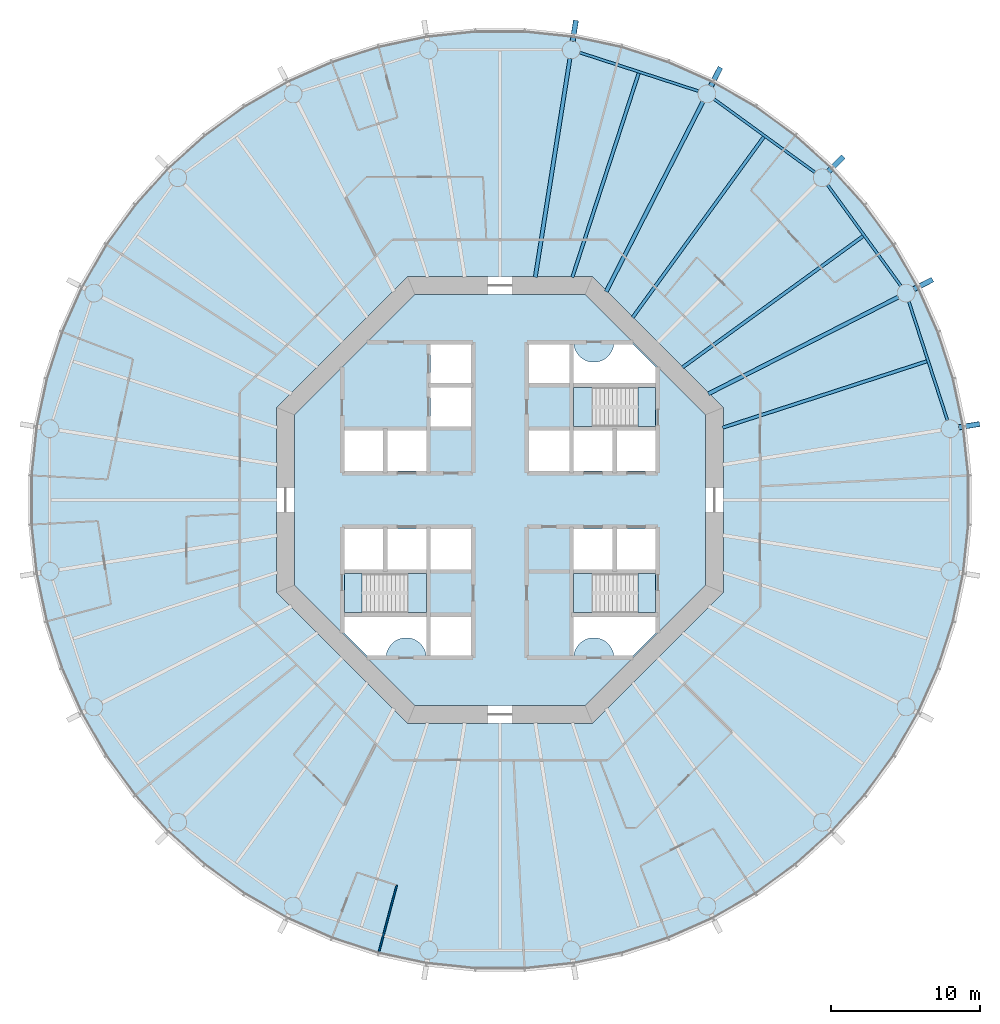
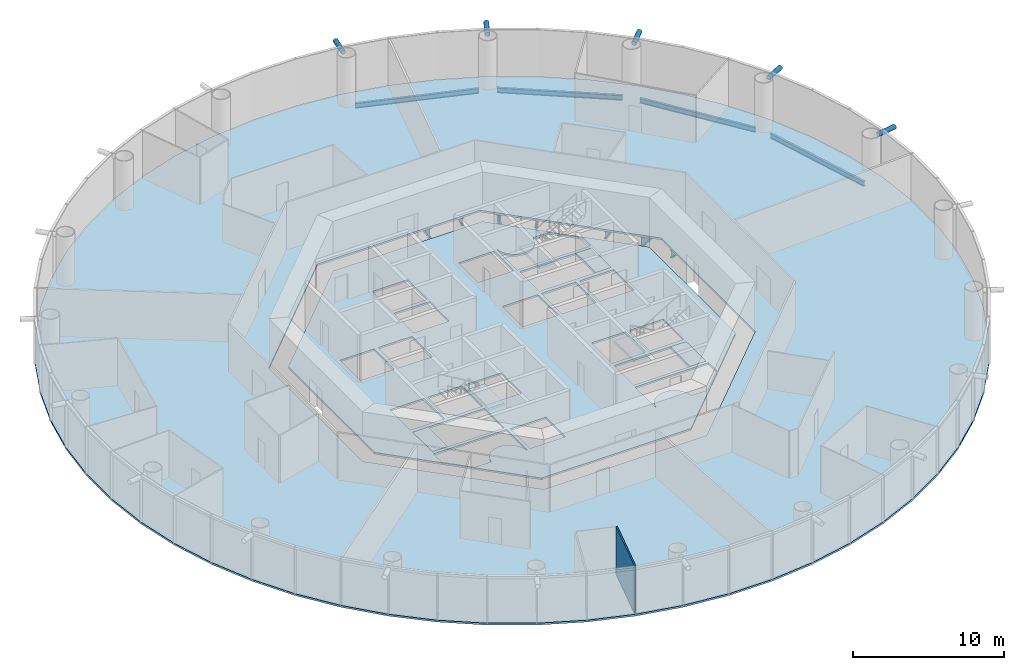
# One storey, part 2 of 13: 11 beams, 8 slabs, 5 members, 1 wall, 3 elements without a shape of their own.
"""IFC4 building model written with IfcOpenShell, lengths in metres."""

import ifcopenshell
import ifcopenshell.guid

model = None  # the IFC model being written
_history = None  # IfcOwnerHistory: only IFC2X3 demands one
_inside = {}  # id of a spatial element -> (the spatial element, [elements in it])
_under = {}  # id of a project, library or spatial element -> (it, [spatial elements below it])
_declared = {}  # id of a project -> (the project, [libraries it declares])
_typed = {}  # id of a type object -> (the type object, [elements of that type])
_made_of = {}  # id of a material, layer set ... -> (it, [elements and type objects made of it])


def new_model(schema):
    """Start an empty IFC model of exactly this schema.

    Asked for "IFC4X3", IfcOpenShell would pick the latest addendum, in which some entities
    have other attributes; the version numbers below select the first issue.
    IFC2X3 requires an IfcOwnerHistory on every rooted entity: one is made here for all.
    """
    global model, _history
    if schema == "IFC4X3":
        model = ifcopenshell.file(schema_version=(4, 3, 0, 0))
    else:
        model = ifcopenshell.file(schema=schema)
    _inside.clear()
    _under.clear()
    _declared.clear()
    _typed.clear()
    _made_of.clear()
    _history = None
    if model.schema == "IFC2X3":
        org = make("IfcOrganization", Name="unknown")
        user = make(
            "IfcPersonAndOrganization",
            ThePerson=make("IfcPerson", FamilyName="unknown"),
            TheOrganization=org,
        )
        app = make(
            "IfcApplication",
            ApplicationDeveloper=org,
            Version="unknown",
            ApplicationFullName="unknown",
            ApplicationIdentifier="unknown",
        )
        _history = make(
            "IfcOwnerHistory",
            OwningUser=user,
            OwningApplication=app,
            ChangeAction="ADDED",
            CreationDate=0,
        )
    return model


def make(cls, **values):
    """One entity of the class cls with the attributes given. An attribute that is None is left unset."""
    return model.create_entity(
        cls, **{name: value for name, value in values.items() if value is not None}
    )


def rooted(cls, **values):
    """An entity with a GlobalId (a new one), such as an element, a storey or a relation."""
    return make(cls, GlobalId=ifcopenshell.guid.new(), OwnerHistory=_history, **values)


def si_unit(unit_type, name, prefix=None):
    """IfcSIUnit, for example si_unit("LENGTHUNIT", "METRE", prefix="MILLI")."""
    return make("IfcSIUnit", UnitType=unit_type, Prefix=prefix, Name=name)


def assignment(units):
    """IfcUnitAssignment: the units of a project."""
    return None if units is None else make("IfcUnitAssignment", Units=units)


def point(xyz):
    """IfcCartesianPoint."""
    return None if xyz is None else make("IfcCartesianPoint", Coordinates=xyz)


def direction(xyz):
    """IfcDirection."""
    return None if xyz is None else make("IfcDirection", DirectionRatios=xyz)


def frame(location, z_axis=None, x_axis=None):
    """IfcAxis2Placement3D, a coordinate frame: its origin and axes. An axis left out is left unset."""
    return make(
        "IfcAxis2Placement3D",
        Location=point(location),
        Axis=direction(z_axis),
        RefDirection=direction(x_axis),
    )


def frame_2d(location, x_axis=None):
    """IfcAxis2Placement2D, a coordinate frame in the plane: its origin and x axis."""
    return make(
        "IfcAxis2Placement2D", Location=point(location), RefDirection=direction(x_axis)
    )


def origin():
    """The frame at (0, 0, 0) with its axes left unset."""
    return frame((0.0, 0.0, 0.0))


def origin_2d():
    """The frame at (0, 0) in the plane with its x axis left unset."""
    return frame_2d((0.0, 0.0))


def place(relative_to, where):
    """IfcLocalPlacement: puts the frame where relative to a parent placement (None: the world)."""
    return make(
        "IfcLocalPlacement", PlacementRelTo=relative_to, RelativePlacement=where
    )


def context(
    kind, dimensions, precision=None, world=None, true_north=None, identifier=None
):
    """IfcGeometricRepresentationContext, for example the 3D "Model" context."""
    return make(
        "IfcGeometricRepresentationContext",
        ContextIdentifier=identifier,
        ContextType=kind,
        CoordinateSpaceDimension=dimensions,
        Precision=precision,
        WorldCoordinateSystem=world,
        TrueNorth=true_north,
    )


def subcontext(parent, identifier, kind, view, scale=None):
    """IfcGeometricRepresentationSubContext, for example "Body" below "Model"."""
    return make(
        "IfcGeometricRepresentationSubContext",
        ContextIdentifier=identifier,
        ContextType=kind,
        ParentContext=parent,
        TargetScale=scale,
        TargetView=view,
    )


def project(units=None, contexts=None):
    """IfcProject with its units and contexts."""
    return rooted(
        "IfcProject",
        Name="project",
        RepresentationContexts=contexts,
        UnitsInContext=assignment(units),
    )


def spatial(cls, under=None, at=None, **own):
    """A site, building, storey or space (cls), placed at a placement, below another one or the project."""
    s = rooted(cls, ObjectPlacement=at, **own)
    if under is not None:
        _under.setdefault(under.id(), (under, []))[1].append(s)
    return s


def polyline(points):
    """IfcPolyline through the points."""
    return make("IfcPolyline", Points=[point(p) for p in points])


def profile(cls, at=None, kind="AREA", **sizes):
    """A parametric profile (cls). Its sizes go by their IFC names, for example OverallWidth=200.0."""
    return make(cls, ProfileType=kind, Position=at, **sizes)


def rectangle(**sizes):
    """IfcRectangleProfileDef."""
    return profile("IfcRectangleProfileDef", **sizes)


def circle(**sizes):
    """IfcCircleProfileDef."""
    return profile("IfcCircleProfileDef", **sizes)


def hollow_circle(**sizes):
    """IfcCircleHollowProfileDef."""
    return profile("IfcCircleHollowProfileDef", **sizes)


def i_section(**sizes):
    """IfcIShapeProfileDef."""
    return profile("IfcIShapeProfileDef", **sizes)


def outline(outer, holes=None, kind="AREA"):
    """IfcArbitraryClosedProfileDef: a profile drawn as a closed curve; with holes, ...WithVoids."""
    if holes is None:
        return make("IfcArbitraryClosedProfileDef", ProfileType=kind, OuterCurve=outer)
    return make(
        "IfcArbitraryProfileDefWithVoids",
        ProfileType=kind,
        OuterCurve=outer,
        InnerCurves=holes,
    )


def extrude(swept, where, along, depth):
    """IfcExtrudedAreaSolid: the profile swept, set in the frame where, extruded along a direction by depth."""
    return make(
        "IfcExtrudedAreaSolid",
        SweptArea=swept,
        Position=where,
        ExtrudedDirection=direction(along),
        Depth=depth,
    )


def shape(context_of_items, identifier, shape_type, items):
    """IfcShapeRepresentation: the items that make up one representation, for example the "Body"."""
    return make(
        "IfcShapeRepresentation",
        ContextOfItems=context_of_items,
        RepresentationIdentifier=identifier,
        RepresentationType=shape_type,
        Items=items,
    )


def material(Name=None, Category=None):
    """IfcMaterial."""
    return make("IfcMaterial", Name=Name, Category=Category)


def layer(
    of_material, thickness, ventilated=None, Name=None, Category=None, Priority=None
):
    """IfcMaterialLayer: one layer of a wall or slab, of a material (None: an air gap)."""
    return make(
        "IfcMaterialLayer",
        Material=of_material,
        LayerThickness=thickness,
        IsVentilated=ventilated,
        Name=Name,
        Category=Category,
        Priority=Priority,
    )


def layer_set(layers, Name=None):
    """IfcMaterialLayerSet."""
    return make("IfcMaterialLayerSet", MaterialLayers=layers, LayerSetName=Name)


def material_profile(
    of_material, cross_section, Name=None, Category=None, Priority=None
):
    """IfcMaterialProfile: a cross section and its material."""
    return make(
        "IfcMaterialProfile",
        Name=Name,
        Material=of_material,
        Profile=cross_section,
        Priority=Priority,
        Category=Category,
    )


def profile_set(profiles, Name=None, composite=None):
    """IfcMaterialProfileSet."""
    return make(
        "IfcMaterialProfileSet",
        Name=Name,
        MaterialProfiles=profiles,
        CompositeProfile=composite,
    )


def made_of(thing, what):
    """Note that an element or type object is made of a material, layer set ...; save() writes the relation."""
    if what is not None:
        _made_of.setdefault(what.id(), (what, []))[1].append(thing)
    return thing


def type_object(cls, material=None, **own):
    """A type object (cls), such as IfcWallType, which elements share."""
    return made_of(rooted(cls, **own), material)


def element(
    cls,
    number,
    at=None,
    inside=None,
    cuts=None,
    type_object=None,
    material=None,
    context=None,
    identifier="Body",
    shape_type=None,
    held_by="IfcProductDefinitionShape",
    body=None,
    shapes=None,
    **own,
):
    """One element of the class cls, such as IfcWall. Its Tag is "e" and its number.

    at: its placement. inside: the storey or other place that contains it. cuts: it is an
    opening in that element (IfcRelVoidsElement). A single representation is given by context,
    identifier, shape_type and body (its items); several are given by shapes. held_by: the class
    of the entity that holds the representations. save() writes the other relations.
    """
    e = rooted(cls, Tag="e%d" % number, ObjectPlacement=at, **own)
    if body is not None:
        shapes = [shape(context, identifier, shape_type, body)]
    if shapes is not None:
        e.Representation = make(held_by, Representations=shapes)
    if inside is not None:
        _inside.setdefault(inside.id(), (inside, []))[1].append(e)
    if cuts is not None:
        rooted(
            "IfcRelVoidsElement", RelatingBuildingElement=cuts, RelatedOpeningElement=e
        )
    if type_object is not None:
        _typed.setdefault(type_object.id(), (type_object, []))[1].append(e)
    return made_of(e, material)


def aggregate(whole, parts):
    """IfcRelAggregates: a whole, such as a stair, and the parts it consists of."""
    return rooted("IfcRelAggregates", RelatingObject=whole, RelatedObjects=parts)


def save(model, path):
    """Write the relations noted so far, then the file.

    IfcRelAggregates (storeys below a building ...), IfcRelContainedInSpatialStructure (elements
    in a storey), IfcRelDefinesByType, IfcRelAssociatesMaterial and IfcRelDeclares: one each for
    every whole, place, type object, material and project.
    """
    for whole, parts in _under.values():
        aggregate(whole, parts)
    for where, things in _inside.values():
        rooted(
            "IfcRelContainedInSpatialStructure",
            RelatedElements=things,
            RelatingStructure=where,
        )
    for kind, things in _typed.values():
        rooted("IfcRelDefinesByType", RelatedObjects=things, RelatingType=kind)
    for what, things in _made_of.values():
        rooted("IfcRelAssociatesMaterial", RelatedObjects=things, RelatingMaterial=what)
    for by, libraries in _declared.values():
        rooted("IfcRelDeclares", RelatingContext=by, RelatedDefinitions=libraries)
    model.write(path)


model = new_model("IFC4")

# Units and contexts
model_context = context("Model", 3, precision=1e-05, world=origin(), true_north=direction((0.0, 1.0)))
body_context = subcontext(model_context, "Body", "Model", "MODEL_VIEW")
ifc_project = project(units=[si_unit("LENGTHUNIT", "METRE"), si_unit("AREAUNIT", "SQUARE_METRE"), si_unit("VOLUMEUNIT", "CUBIC_METRE"), si_unit("PLANEANGLEUNIT", "RADIAN"), si_unit("MASSUNIT", "GRAM", prefix="KILO")], contexts=[model_context])

# Site, building, storey
site_placement = place(None, origin())
site = spatial("IfcSite", under=ifc_project, at=site_placement, CompositionType="ELEMENT")
building_placement = place(site_placement, origin())
building = spatial("IfcBuilding", under=site, at=building_placement, Name="Entoto Ring Tower", CompositionType="ELEMENT")
storey_placement = place(building_placement, frame((0.0, 0.0, 92.0)))
storey = spatial("IfcBuildingStorey", under=building, at=storey_placement, Name="L20", CompositionType="ELEMENT", Elevation=92.0)

# Members
ifc_material_1 = material(Name="Steel S355", Category="steel")
ifc_material_profile_1 = material_profile(ifc_material_1, hollow_circle(Radius=0.177734375, WallThickness=0.01611328125, at=origin_2d()), Name="CHS 355.6 x 16")
ifc_material_2 = material(Name="Concrete C60/75", Category="concrete")
ifc_material_profile_2 = material_profile(ifc_material_2, circle(Radius=0.161865234375, at=origin_2d()), Name="Concrete C60/75 infill")
ifc_profile_set_1 = profile_set([ifc_material_profile_1, ifc_material_profile_2], Name="Steel S355")
member_type = type_object("IfcMemberType", Name="Diagrid node strut 355.6 x 16", PredefinedType="STRUT", material=ifc_profile_set_1)
member_1_placement = place(storey_placement, frame((120.795166015625, 84.87744140625, 3.672119140625), z_axis=(0.987676449715, 0.156509522646, 0.0), x_axis=(-0.156509522646, 0.987676449715, 0.0)))
element("IfcMember", 1, at=member_1_placement, inside=storey, type_object=member_type, Name="DS1 strut ring 6 01", PredefinedType="STRUT", context=body_context, shape_type="SweptSolid", body=[
    extrude(hollow_circle(Radius=0.177734375, WallThickness=0.01611328125, at=origin_2d()), origin(), (0.0, 0.0, 1.0), 1.421142578125),
])
member_2_placement = place(storey_placement, frame((117.78076171875, 94.155029296875, 3.672119140625), z_axis=(0.891034252013, 0.45393607671, 0.0), x_axis=(-0.45393607671, 0.891034252013, 0.0)))
element("IfcMember", 2, at=member_2_placement, inside=storey, type_object=member_type, Name="DS1 strut ring 6 02", PredefinedType="STRUT", context=body_context, shape_type="SweptSolid", body=[
    extrude(hollow_circle(Radius=0.177734375, WallThickness=0.01611328125, at=origin_2d()), origin(), (0.0, 0.0, 1.0), 1.4208984375),
])
member_3_placement = place(storey_placement, frame((112.046875, 102.046875, 3.672119140625), z_axis=(0.707106781187, 0.707106781187, 0.0), x_axis=(-0.707106781187, 0.707106781187, 0.0)))
element("IfcMember", 3, at=member_3_placement, inside=storey, type_object=member_type, Name="DS1 strut ring 6 03", PredefinedType="STRUT", context=body_context, shape_type="SweptSolid", body=[
    extrude(hollow_circle(Radius=0.177734375, WallThickness=0.01611328125, at=origin_2d()), origin(), (0.0, 0.0, 1.0), 1.421142578125),
])
member_4_placement = place(storey_placement, frame((104.155029296875, 107.78076171875, 3.672119140625), z_axis=(0.45393607671, 0.891034252013, 0.0), x_axis=(-0.891034252013, 0.45393607671, 0.0)))
element("IfcMember", 4, at=member_4_placement, inside=storey, type_object=member_type, Name="DS1 strut ring 6 04", PredefinedType="STRUT", context=body_context, shape_type="SweptSolid", body=[
    extrude(hollow_circle(Radius=0.177734375, WallThickness=0.01611328125, at=origin_2d()), origin(), (0.0, 0.0, 1.0), 1.4208984375),
])
member_5_placement = place(storey_placement, frame((94.87744140625, 110.795166015625, 3.672119140625), z_axis=(0.156509522646, 0.987676449715, 0.0), x_axis=(-0.987676449715, 0.156509522646, 0.0)))
element("IfcMember", 5, at=member_5_placement, inside=storey, type_object=member_type, Name="DS1 strut ring 6 05", PredefinedType="STRUT", context=body_context, shape_type="SweptSolid", body=[
    extrude(hollow_circle(Radius=0.177734375, WallThickness=0.01611328125, at=origin_2d()), origin(), (0.0, 0.0, 1.0), 1.421142578125),
])

# Beams
ifc_material_3 = material(Name="Steel S355", Category="steel")
ifc_material_profile_3 = material_profile(ifc_material_3, i_section(OverallWidth=0.179931640625, OverallDepth=0.39990234375, WebThickness=0.008544921875, FlangeThickness=0.013427734375, FilletRadius=0.02099609375, at=origin_2d()), Name="IPE 400")
ifc_profile_set_2 = profile_set([ifc_material_profile_3], Name="Steel S355")
beam_type_1 = type_object("IfcBeamType", Name="Edge beam IPE 400", PredefinedType="SPANDREL", material=ifc_profile_set_2)
for number, where, z_axis, x_axis, name in (
    (6, (120.038330078125, 85.35595703125, -0.35009765625), (-0.309014241039, 0.951057410904, 0.0), (-0.951057410904, -0.309014241039, 0.0), "Edge beam L20 01"),
    (7, (116.9130859375, 94.376220703125, -0.35009765625), (-0.587783458554, 0.8090182976, 0.0), (-0.8090182976, -0.587783458554, 0.0), "Edge beam L20 02"),
    (8, (111.1533203125, 101.9892578125, -0.35009765625), (-0.8090182976, 0.587783458554, 0.0), (-0.587783458554, -0.8090182976, 0.0), "Edge beam L20 03"),
    (9, (103.322998046875, 107.44970703125, -0.35009765625), (-0.951057410904, 0.309014241039, 0.0), (-0.309014241039, -0.951057410904, 0.0), "Edge beam L20 04"),
):
    element("IfcBeam", number, at=place(storey_placement, frame(where, z_axis=z_axis, x_axis=x_axis)), inside=storey, type_object=beam_type_1, Name=name, PredefinedType="SPANDREL", context=body_context, shape_type="SweptSolid", body=[
        extrude(i_section(OverallWidth=0.179931640625, OverallDepth=0.39990234375, WebThickness=0.008544921875, FlangeThickness=0.013427734375, FilletRadius=0.02099609375, at=origin_2d()), origin(), (0.0, 0.0, 1.0), 8.376953125),
    ])
ifc_material_4 = material(Name="Steel S355", Category="steel")
ifc_material_profile_4 = material_profile(ifc_material_4, i_section(OverallWidth=0.262939453125, OverallDepth=0.7529296875, WebThickness=0.011474609375, FlangeThickness=0.01708984375, FilletRadius=0.01708984375, at=origin_2d()), Name="IPE 750 x 137")
ifc_profile_set_3 = profile_set([ifc_material_profile_4], Name="Steel S355")
beam_type_2 = type_object("IfcBeamType", Name="Primary floor beam IPE 750 x 137", PredefinedType="BEAM", material=ifc_profile_set_3)
for number, where, z_axis, x_axis, name in (
    (10, (103.9970703125, 87.1318359375, -0.526611328125), (0.891007312585, 0.453988952421, 0.0), (-0.453988952421, 0.891007312585, 0.0), "Primary L20 R02"),
    (11, (97.1318359375, 93.9970703125, -0.526611328125), (0.453988952421, 0.891007312585, 0.0), (-0.891007312585, 0.453988952421, 0.0), "Primary L20 R04"),
):
    element("IfcBeam", number, at=place(storey_placement, frame(where, z_axis=z_axis, x_axis=x_axis)), inside=storey, type_object=beam_type_2, Name=name, PredefinedType="BEAM", context=body_context, shape_type="SweptSolid", body=[
        extrude(i_section(OverallWidth=0.262939453125, OverallDepth=0.7529296875, WebThickness=0.011474609375, FlangeThickness=0.01708984375, FilletRadius=0.01708984375, at=origin_2d()), origin(), (0.0, 0.0, 1.0), 14.2998046875),
    ])
beam_1_placement = place(storey_placement, frame((92.369384765625, 94.959716796875, -0.526611328125), z_axis=(0.156426484787, 0.98768960451, 0.0), x_axis=(-0.98768960451, 0.156426484787, 0.0)))
element("IfcBeam", 12, at=beam_1_placement, inside=storey, type_object=beam_type_2, Name="Primary L20 R05", PredefinedType="BEAM", context=body_context, shape_type="SweptSolid", body=[
    extrude(i_section(OverallWidth=0.262939453125, OverallDepth=0.7529296875, WebThickness=0.011474609375, FlangeThickness=0.01708984375, FilletRadius=0.01708984375, at=origin_2d()), origin(), (0.0, 0.0, 1.0), 14.86279296875),
])
ifc_material_5 = material(Name="Steel S355", Category="steel")
ifc_material_profile_5 = material_profile(ifc_material_5, i_section(OverallWidth=0.219970703125, OverallDepth=0.60009765625, WebThickness=0.011962890625, FlangeThickness=0.01904296875, FilletRadius=0.02392578125, at=origin_2d()), Name="IPE 600")
ifc_profile_set_4 = profile_set([ifc_material_profile_5], Name="Steel S355")
beam_type_3 = type_object("IfcBeamType", Name="Secondary floor beam IPE 600", PredefinedType="JOIST", material=ifc_profile_set_4)
beam_2_placement = place(storey_placement, frame((104.947021484375, 84.856689453125, -0.449951171875), z_axis=(0.951057212949, 0.309014850288, 0.0), x_axis=(-0.309014850288, 0.951057212949, 0.0)))
element("IfcBeam", 13, at=beam_2_placement, inside=storey, type_object=beam_type_3, Name="Secondary beam L20 01", PredefinedType="JOIST", context=body_context, shape_type="SweptSolid", body=[
    extrude(i_section(OverallWidth=0.219970703125, OverallDepth=0.60009765625, WebThickness=0.011962890625, FlangeThickness=0.01904296875, FilletRadius=0.02392578125, at=origin_2d()), origin(), (0.0, 0.0, 1.0), 14.4169921875),
])
for number, where, z_axis, x_axis, name in (
    (14, (102.25634765625, 88.90478515625, -0.449951171875), (0.809019238239, 0.587782163866, 0.0), (-0.587782163866, 0.809019238239, 0.0), "Secondary beam L20 02"),
    (15, (98.90478515625, 92.25634765625, -0.449951171875), (0.587782163866, 0.809019238239, 0.0), (-0.809019238239, 0.587782163866, 0.0), "Secondary beam L20 03"),
):
    element("IfcBeam", number, at=place(storey_placement, frame(where, z_axis=z_axis, x_axis=x_axis)), inside=storey, type_object=beam_type_3, Name=name, PredefinedType="JOIST", context=body_context, shape_type="SweptSolid", body=[
        extrude(i_section(OverallWidth=0.219970703125, OverallDepth=0.60009765625, WebThickness=0.011962890625, FlangeThickness=0.01904296875, FilletRadius=0.02392578125, at=origin_2d()), origin(), (0.0, 0.0, 1.0), 14.983642578125),
    ])
beam_3_placement = place(storey_placement, frame((94.856689453125, 94.947021484375, -0.449951171875), z_axis=(0.309014850288, 0.951057212949, 0.0), x_axis=(-0.951057212949, 0.309014850288, 0.0)))
element("IfcBeam", 16, at=beam_3_placement, inside=storey, type_object=beam_type_3, Name="Secondary beam L20 04", PredefinedType="JOIST", context=body_context, shape_type="SweptSolid", body=[
    extrude(i_section(OverallWidth=0.219970703125, OverallDepth=0.60009765625, WebThickness=0.011962890625, FlangeThickness=0.01904296875, FilletRadius=0.02392578125, at=origin_2d()), origin(), (0.0, 0.0, 1.0), 14.4169921875),
])

# Slabs
ifc_material_6 = material(Name="Concrete C30/37", Category="concrete")
ifc_layer_1 = layer(ifc_material_6, 0.14990234375)
ifc_layer_set_1 = layer_set([ifc_layer_1], Name="Concrete C30/37")
slab_type_1 = type_object("IfcSlabType", Name="Composite floor slab 150 mm", PredefinedType="FLOOR", material=ifc_layer_set_1)
slab_1_placement = place(storey_placement, frame((0.0, 0.0, -0.14990234375)))
element("IfcSlab", 17, at=slab_1_placement, inside=storey, type_object=slab_type_1, Name="Floor slab L20", PredefinedType="FLOOR", context=body_context, shape_type="SweptSolid", body=[
    extrude(outline(polyline([(121.2109375, 84.943359375), (120.523193359375, 88.1787109375), (119.501220703125, 91.324462890625), (118.15576171875, 94.34619140625), (116.501953125, 97.210693359375), (114.557861328125, 99.886474609375), (112.344482421875, 102.344482421875), (109.886474609375, 104.557861328125), (107.210693359375, 106.501953125), (104.34619140625, 108.15576171875), (101.324462890625, 109.501220703125), (98.1787109375, 110.523193359375), (94.943359375, 111.2109375), (91.65380859375, 111.556640625), (88.34619140625, 111.556640625), (85.056640625, 111.2109375), (81.8212890625, 110.523193359375), (78.675537109375, 109.501220703125), (75.65380859375, 108.15576171875), (72.789306640625, 106.501953125), (70.113525390625, 104.557861328125), (67.655517578125, 102.344482421875), (65.442138671875, 99.886474609375), (63.498046875, 97.210693359375), (61.84423828125, 94.34619140625), (60.498779296875, 91.324462890625), (59.476806640625, 88.1787109375), (58.7890625, 84.943359375), (58.443359375, 81.65380859375), (58.443359375, 78.34619140625), (58.7890625, 75.056640625), (59.476806640625, 71.8212890625), (60.498779296875, 68.675537109375), (61.84423828125, 65.65380859375), (63.498046875, 62.789306640625), (65.442138671875, 60.113525390625), (67.655517578125, 57.655517578125), (70.113525390625, 55.442138671875), (72.789306640625, 53.498046875), (75.65380859375, 51.84423828125), (78.675537109375, 50.498779296875), (81.8212890625, 49.476806640625), (85.056640625, 48.7890625), (88.34619140625, 48.443359375), (91.65380859375, 48.443359375), (94.943359375, 48.7890625), (98.1787109375, 49.476806640625), (101.324462890625, 50.498779296875), (104.34619140625, 51.84423828125), (107.210693359375, 53.498046875), (109.886474609375, 55.442138671875), (112.344482421875, 57.655517578125), (114.557861328125, 60.113525390625), (116.501953125, 62.789306640625), (118.15576171875, 65.65380859375), (119.501220703125, 68.675537109375), (120.523193359375, 71.8212890625), (121.2109375, 75.056640625), (121.556640625, 78.34619140625), (121.556640625, 81.65380859375), (121.2109375, 84.943359375)]), holes=[polyline([(105.0, 73.786865234375), (105.0, 86.213134765625), (96.213134765625, 95.0), (83.786865234375, 95.0), (75.0, 86.213134765625), (75.0, 73.786865234375), (83.786865234375, 65.0), (96.213134765625, 65.0), (105.0, 73.786865234375)])]), origin(), (0.0, 0.0, 1.0), 0.14990234375),
])
ifc_material_7 = material(Name="Concrete C40/50", Category="concrete")
ifc_layer_2 = layer(ifc_material_7, 0.14990234375)
ifc_layer_set_2 = layer_set([ifc_layer_2], Name="Concrete C40/50")
slab_type_2 = type_object("IfcSlabType", Name="Core floor slab 150 mm reinforced concrete C40/50", PredefinedType="FLOOR", material=ifc_layer_set_2)
slab_2_placement = place(storey_placement, frame((0.0, 0.0, -0.14990234375)))
element("IfcSlab", 18, at=slab_2_placement, inside=storey, type_object=slab_type_2, Name="Core floor L20", PredefinedType="FLOOR", context=body_context, shape_type="SweptSolid", body=[
    extrude(outline(polyline([(103.800048828125, 74.283935546875), (103.800048828125, 85.716064453125), (95.716064453125, 93.800048828125), (84.283935546875, 93.800048828125), (76.199951171875, 85.716064453125), (76.199951171875, 74.283935546875), (84.283935546875, 66.199951171875), (95.716064453125, 66.199951171875), (103.800048828125, 74.283935546875)]), holes=[polyline([(100.449951171875, 84.949951171875), (100.449951171875, 87.550048828125), (94.949951171875, 87.550048828125), (94.949951171875, 84.949951171875), (100.449951171875, 84.949951171875)]), polyline([(85.050048828125, 72.449951171875), (85.050048828125, 75.050048828125), (79.550048828125, 75.050048828125), (79.550048828125, 72.449951171875), (85.050048828125, 72.449951171875)]), polyline([(100.449951171875, 72.449951171875), (100.449951171875, 75.050048828125), (94.949951171875, 75.050048828125), (94.949951171875, 72.449951171875), (100.449951171875, 72.449951171875)]), polyline([(94.949951171875, 81.949951171875), (97.550048828125, 81.949951171875), (97.550048828125, 84.64990234375), (94.949951171875, 84.64990234375), (94.949951171875, 81.949951171875)]), polyline([(97.85009765625, 81.949951171875), (100.449951171875, 81.949951171875), (100.449951171875, 84.64990234375), (97.85009765625, 84.64990234375), (97.85009765625, 81.949951171875)]), polyline([(82.449951171875, 81.949951171875), (85.050048828125, 81.949951171875), (85.050048828125, 84.64990234375), (82.449951171875, 84.64990234375), (82.449951171875, 81.949951171875)]), polyline([(94.949951171875, 75.35009765625), (97.550048828125, 75.35009765625), (97.550048828125, 78.050048828125), (94.949951171875, 78.050048828125), (94.949951171875, 75.35009765625)]), polyline([(97.85009765625, 75.35009765625), (100.449951171875, 75.35009765625), (100.449951171875, 78.050048828125), (97.85009765625, 78.050048828125), (97.85009765625, 75.35009765625)]), polyline([(82.449951171875, 75.35009765625), (85.050048828125, 75.35009765625), (85.050048828125, 78.050048828125), (82.449951171875, 78.050048828125), (82.449951171875, 75.35009765625)]), polyline([(79.550048828125, 81.949951171875), (82.14990234375, 81.949951171875), (82.14990234375, 84.64990234375), (79.550048828125, 84.64990234375), (79.550048828125, 81.949951171875)]), polyline([(79.550048828125, 75.35009765625), (82.14990234375, 75.35009765625), (82.14990234375, 78.050048828125), (79.550048828125, 78.050048828125), (79.550048828125, 75.35009765625)]), polyline([(91.949951171875, 87.85009765625), (94.64990234375, 87.85009765625), (94.64990234375, 90.449951171875), (91.949951171875, 90.449951171875), (91.949951171875, 87.85009765625)]), polyline([(85.35009765625, 69.550048828125), (88.050048828125, 69.550048828125), (88.050048828125, 72.14990234375), (85.35009765625, 72.14990234375), (85.35009765625, 69.550048828125)]), polyline([(91.949951171875, 81.949951171875), (94.64990234375, 81.949951171875), (94.64990234375, 84.64990234375), (91.949951171875, 84.64990234375), (91.949951171875, 81.949951171875)]), polyline([(85.35009765625, 75.35009765625), (88.050048828125, 75.35009765625), (88.050048828125, 78.050048828125), (85.35009765625, 78.050048828125), (85.35009765625, 75.35009765625)]), polyline([(85.35009765625, 84.949951171875), (88.050048828125, 84.949951171875), (88.050048828125, 87.550048828125), (85.35009765625, 87.550048828125), (85.35009765625, 84.949951171875)]), polyline([(85.35009765625, 87.85009765625), (88.050048828125, 87.85009765625), (88.050048828125, 90.449951171875), (85.35009765625, 90.449951171875), (85.35009765625, 87.85009765625)]), polyline([(94.89990234375, 90.5), (94.89990234375, 87.800048828125), (100.5, 87.800048828125), (100.5, 88.874755859375), (98.874755859375, 90.5), (97.64501953125, 90.5), (97.6435546875, 90.4677734375), (97.6240234375, 90.336669921875), (97.591796875, 90.2080078125), (97.547119140625, 90.08349609375), (97.490478515625, 89.963623046875), (97.422607421875, 89.85009765625), (97.343505859375, 89.74365234375), (97.254638671875, 89.6455078125), (97.156494140625, 89.556396484375), (97.050048828125, 89.4775390625), (96.936279296875, 89.409423828125), (96.816650390625, 89.352783203125), (96.69189453125, 89.30810546875), (96.5634765625, 89.27587890625), (96.432373046875, 89.256591796875), (96.300048828125, 89.25), (96.167724609375, 89.256591796875), (96.03662109375, 89.27587890625), (95.908203125, 89.30810546875), (95.783447265625, 89.352783203125), (95.66357421875, 89.409423828125), (95.550048828125, 89.4775390625), (95.443603515625, 89.556396484375), (95.345458984375, 89.6455078125), (95.25634765625, 89.74365234375), (95.177490234375, 89.85009765625), (95.109375, 89.963623046875), (95.052734375, 90.08349609375), (95.008056640625, 90.2080078125), (94.975830078125, 90.336669921875), (94.95654296875, 90.4677734375), (94.954833984375, 90.5), (94.89990234375, 90.5)]), polyline([(79.5, 71.125244140625), (81.125244140625, 69.5), (82.35498046875, 69.5), (82.3564453125, 69.5322265625), (82.3759765625, 69.663330078125), (82.408203125, 69.7919921875), (82.452880859375, 69.91650390625), (82.509521484375, 70.036376953125), (82.577392578125, 70.14990234375), (82.656494140625, 70.25634765625), (82.745361328125, 70.3544921875), (82.843505859375, 70.443603515625), (82.949951171875, 70.5224609375), (83.063720703125, 70.590576171875), (83.183349609375, 70.647216796875), (83.30810546875, 70.69189453125), (83.4365234375, 70.72412109375), (83.567626953125, 70.743408203125), (83.699951171875, 70.75), (83.832275390625, 70.743408203125), (83.96337890625, 70.72412109375), (84.091796875, 70.69189453125), (84.216552734375, 70.647216796875), (84.33642578125, 70.590576171875), (84.449951171875, 70.5224609375), (84.556396484375, 70.443603515625), (84.654541015625, 70.3544921875), (84.74365234375, 70.25634765625), (84.822509765625, 70.14990234375), (84.890625, 70.036376953125), (84.947265625, 69.91650390625), (84.991943359375, 69.7919921875), (85.024169921875, 69.663330078125), (85.04345703125, 69.5322265625), (85.045166015625, 69.5), (85.10009765625, 69.5), (85.10009765625, 72.199951171875), (79.5, 72.199951171875), (79.5, 71.125244140625)]), polyline([(97.64501953125, 69.5), (98.874755859375, 69.5), (100.5, 71.125244140625), (100.5, 72.199951171875), (94.89990234375, 72.199951171875), (94.89990234375, 69.5), (94.954833984375, 69.5), (94.95654296875, 69.5322265625), (94.975830078125, 69.663330078125), (95.008056640625, 69.7919921875), (95.052734375, 69.91650390625), (95.109375, 70.036376953125), (95.177490234375, 70.14990234375), (95.25634765625, 70.25634765625), (95.345458984375, 70.3544921875), (95.443603515625, 70.443603515625), (95.550048828125, 70.5224609375), (95.66357421875, 70.590576171875), (95.783447265625, 70.647216796875), (95.908203125, 70.69189453125), (96.03662109375, 70.72412109375), (96.167724609375, 70.743408203125), (96.300048828125, 70.75), (96.432373046875, 70.743408203125), (96.5634765625, 70.72412109375), (96.69189453125, 70.69189453125), (96.816650390625, 70.647216796875), (96.936279296875, 70.590576171875), (97.050048828125, 70.5224609375), (97.156494140625, 70.443603515625), (97.254638671875, 70.3544921875), (97.343505859375, 70.25634765625), (97.422607421875, 70.14990234375), (97.490478515625, 70.036376953125), (97.547119140625, 69.91650390625), (97.591796875, 69.7919921875), (97.6240234375, 69.663330078125), (97.6435546875, 69.5322265625), (97.64501953125, 69.5)])]), origin(), (0.0, 0.0, 1.0), 0.14990234375),
])

# Stair, slabs
ifc_material_8 = material(Name="Concrete C40/50", Category="concrete")
stair_type = type_object("IfcStairType", Name="Exit stair 1200 mm dog-leg reinforced concrete", PredefinedType="HALF_TURN_STAIR", material=ifc_material_8)
stair_1_placement = place(storey_placement, origin())
stair_1 = element("IfcStair", 19, at=stair_1_placement, inside=storey, type_object=stair_type, Name="Exit stair 1", PredefinedType="HALF_TURN_STAIR")
ifc_material_9 = material(Name="Concrete C40/50", Category="concrete")
ifc_layer_3 = layer(ifc_material_9, 0.199951171875)
ifc_layer_set_3 = layer_set([ifc_layer_3], Name="Concrete C40/50")
slab_type_3 = type_object("IfcSlabType", Name="Stair landing 200 mm reinforced concrete", PredefinedType="LANDING", material=ifc_layer_set_3)
slab_3_placement = place(storey_placement, frame((0.0, 0.0, -0.199951171875)))
slab_3 = element("IfcSlab", 20, at=slab_3_placement, type_object=slab_type_3, Name="ST1 landing 1", PredefinedType="LANDING", context=body_context, shape_type="SweptSolid", body=[
    extrude(outline(polyline([(100.449951171875, 84.949951171875), (100.449951171875, 87.550048828125), (99.25, 87.550048828125), (99.25, 84.949951171875), (100.449951171875, 84.949951171875)])), origin(), (0.0, 0.0, 1.0), 0.199951171875),
])
slab_4_placement = place(storey_placement, frame((0.0, 0.0, 1.800048828125)))
slab_4 = element("IfcSlab", 21, at=slab_4_placement, type_object=slab_type_3, Name="ST1 landing 2", PredefinedType="LANDING", context=body_context, shape_type="SweptSolid", body=[
    extrude(outline(polyline([(94.949951171875, 84.949951171875), (96.169921875, 84.949951171875), (96.169921875, 87.550048828125), (94.949951171875, 87.550048828125), (94.949951171875, 84.949951171875)])), origin(), (0.0, 0.0, 1.0), 0.199951171875),
])
aggregate(stair_1, [slab_3, slab_4])

stair_2_placement = place(storey_placement, origin())
stair_2 = element("IfcStair", 22, at=stair_2_placement, inside=storey, type_object=stair_type, Name="Exit stair 2", PredefinedType="HALF_TURN_STAIR")
slab_5_placement = place(storey_placement, frame((0.0, 0.0, -0.199951171875)))
slab_5 = element("IfcSlab", 23, at=slab_5_placement, type_object=slab_type_3, Name="ST2 landing 1", PredefinedType="LANDING", context=body_context, shape_type="SweptSolid", body=[
    extrude(outline(polyline([(80.75, 72.449951171875), (80.75, 75.050048828125), (79.550048828125, 75.050048828125), (79.550048828125, 72.449951171875), (80.75, 72.449951171875)])), origin(), (0.0, 0.0, 1.0), 0.199951171875),
])
slab_6_placement = place(storey_placement, frame((0.0, 0.0, 1.800048828125)))
slab_6 = element("IfcSlab", 24, at=slab_6_placement, type_object=slab_type_3, Name="ST2 landing 2", PredefinedType="LANDING", context=body_context, shape_type="SweptSolid", body=[
    extrude(outline(polyline([(83.830078125, 72.449951171875), (85.050048828125, 72.449951171875), (85.050048828125, 75.050048828125), (83.830078125, 75.050048828125), (83.830078125, 72.449951171875)])), origin(), (0.0, 0.0, 1.0), 0.199951171875),
])
aggregate(stair_2, [slab_5, slab_6])

stair_3_placement = place(storey_placement, origin())
stair_3 = element("IfcStair", 25, at=stair_3_placement, inside=storey, type_object=stair_type, Name="Exit stair 3", PredefinedType="HALF_TURN_STAIR")
slab_7_placement = place(storey_placement, frame((0.0, 0.0, -0.199951171875)))
slab_7 = element("IfcSlab", 26, at=slab_7_placement, type_object=slab_type_3, Name="ST3 landing 1", PredefinedType="LANDING", context=body_context, shape_type="SweptSolid", body=[
    extrude(outline(polyline([(100.449951171875, 72.449951171875), (100.449951171875, 75.050048828125), (99.25, 75.050048828125), (99.25, 72.449951171875), (100.449951171875, 72.449951171875)])), origin(), (0.0, 0.0, 1.0), 0.199951171875),
])
slab_8_placement = place(storey_placement, frame((0.0, 0.0, 1.800048828125)))
slab_8 = element("IfcSlab", 27, at=slab_8_placement, type_object=slab_type_3, Name="ST3 landing 2", PredefinedType="LANDING", context=body_context, shape_type="SweptSolid", body=[
    extrude(outline(polyline([(94.949951171875, 72.449951171875), (96.169921875, 72.449951171875), (96.169921875, 75.050048828125), (94.949951171875, 75.050048828125), (94.949951171875, 72.449951171875)])), origin(), (0.0, 0.0, 1.0), 0.199951171875),
])
aggregate(stair_3, [slab_7, slab_8])

# Wall
ifc_material_10 = material(Name="Plasterboard on steel studs", Category="steel")
ifc_layer_4 = layer(ifc_material_10, 0.10009765625)
ifc_layer_set_4 = layer_set([ifc_layer_4], Name="Plasterboard on steel studs")
wall_type = type_object("IfcWallType", Name="Partition 100 mm plasterboard on steel studs", PredefinedType="PARTITIONING", material=ifc_layer_set_4)
wall_placement = place(storey_placement, frame((81.86279296875, 49.63134765625, 0.0), z_axis=(0.0, 0.0, 1.0), x_axis=(0.258810282601, 0.965928174152, 0.0)))
element("IfcWall", 28, at=wall_placement, inside=storey, type_object=wall_type, Name="partition-L20-032", PredefinedType="PARTITIONING", context=body_context, shape_type="SweptSolid", body=[
    extrude(rectangle(XDim=4.659912109375, YDim=0.10009765625, at=frame_2d((2.330078125, 0.0))), origin(), (0.0, 0.0, 1.0), 3.85009765625),
])

save(model, "model.ifc")
